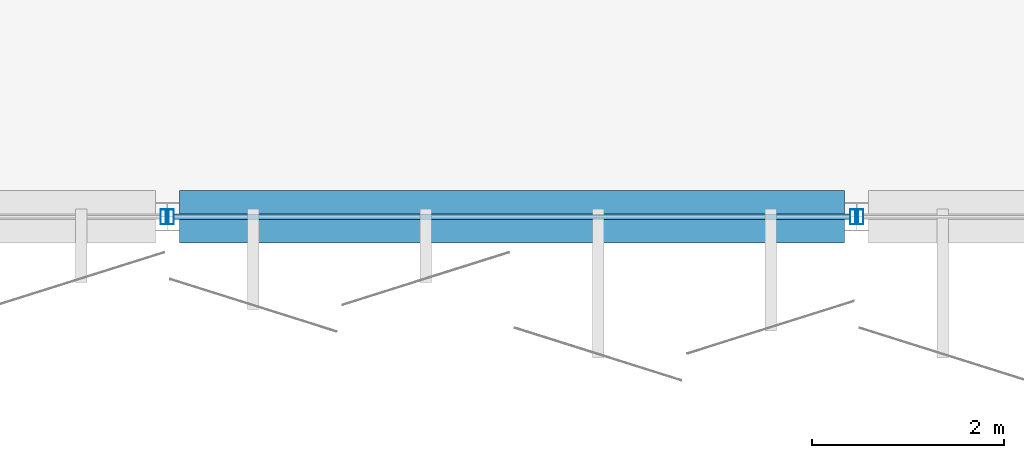
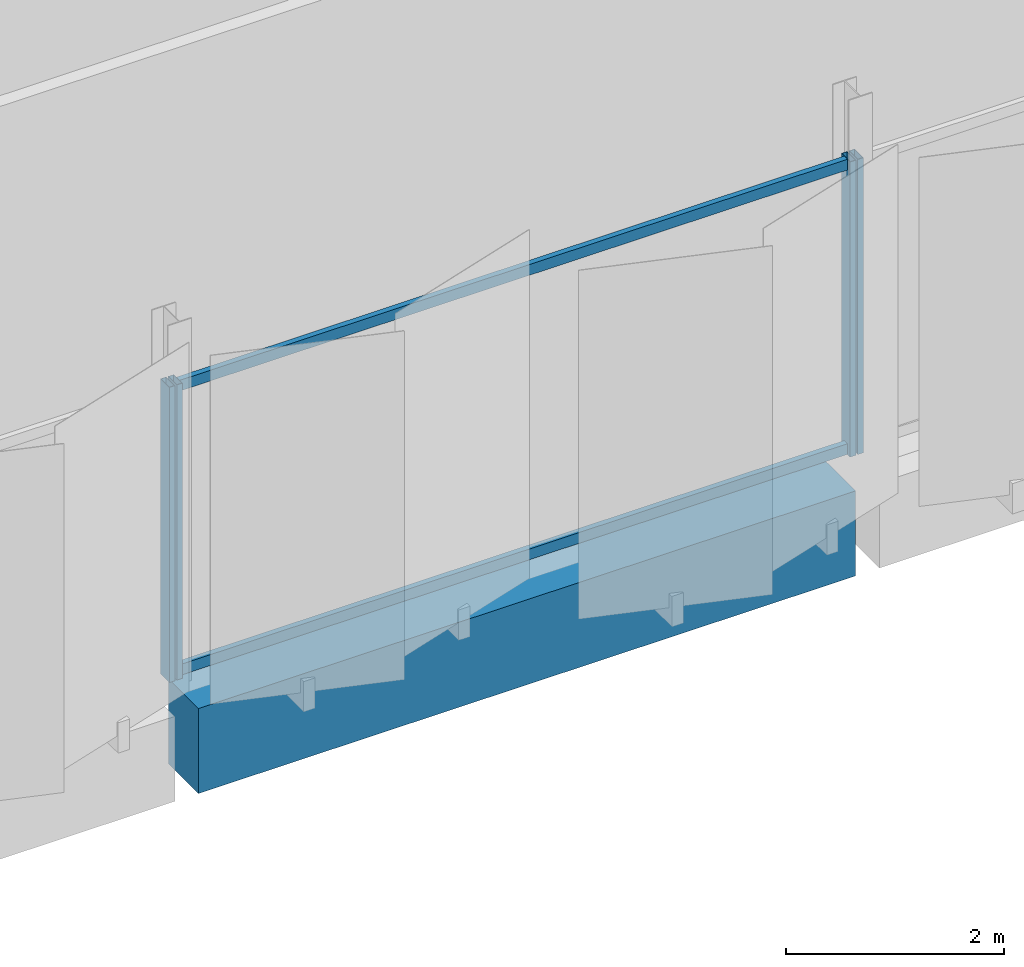
# One storey, part 24 of 77: 6 members, 1 beam, 3 elements without a shape of their own.
"""IFC4 building model written with IfcOpenShell, lengths in metres."""

from ifc_helpers import new_model, si_unit, direction, frame, origin, origin_2d, place, context, subcontext, project, spatial, rectangle, hollow_rectangle, extrude, material, layer, layer_set, material_profile, profile_set, type_object, element, aggregate, save


model = new_model("IFC4")

# Units and contexts
model_context = context("Model", 3, precision=1e-05, world=origin(), true_north=direction((0.0, 1.0)))
body_context = subcontext(model_context, "Body", "Model", "MODEL_VIEW")
ifc_project = project(units=[si_unit("LENGTHUNIT", "METRE"), si_unit("AREAUNIT", "SQUARE_METRE"), si_unit("VOLUMEUNIT", "CUBIC_METRE"), si_unit("PLANEANGLEUNIT", "RADIAN"), si_unit("MASSUNIT", "GRAM", prefix="KILO")], contexts=[model_context])

# Site, building, storey
site_placement = place(None, origin())
site = spatial("IfcSite", under=ifc_project, at=site_placement, CompositionType="ELEMENT")
building_placement = place(site_placement, origin())
building = spatial("IfcBuilding", under=site, at=building_placement, Name="Kangsadwip Square Police Headquarters", CompositionType="ELEMENT")
storey_placement = place(building_placement, frame((0.0, 0.0, 17.550048828125)))
storey = spatial("IfcBuildingStorey", under=building, at=storey_placement, Name="L04", CompositionType="ELEMENT", Elevation=17.550048828125)

# Curtain wall, member
ifc_material_1 = material(Name="Thermally broken anodised aluminium AW-6063-T6", Category="aluminium")
ifc_layer = layer(ifc_material_1, 0.159912109375)
ifc_layer_set = layer_set([ifc_layer], Name="Thermally broken anodised aluminium AW-6063-T6")
curtain_wall_type = type_object("IfcCurtainWallType", Name="CourtScreen7180x3300", PredefinedType="USERDEFINED", material=ifc_layer_set)
curtain_wall_1_placement = place(storey_placement, origin())
curtain_wall_1 = element("IfcCurtainWall", 1, at=curtain_wall_1_placement, inside=storey, type_object=curtain_wall_type, Name="Curtain Wall CW-L04-1008-0936", ObjectType="GLAZED_SCREEN", PredefinedType="USERDEFINED")
ifc_material_2 = material(Name="Thermally broken anodised aluminium AW-6063-T6", Category="aluminium")
ifc_material_profile_1 = material_profile(ifc_material_2, hollow_rectangle(XDim=0.06005859375, YDim=0.159912109375, WallThickness=0.00390625, at=origin_2d()), Name="CWM 160X60X4")
ifc_profile_set_1 = profile_set([ifc_material_profile_1], Name="Thermally broken anodised aluminium AW-6063-T6")
member_type_1 = type_object("IfcMemberType", Name="CwMullion135x60", PredefinedType="MULLION", material=ifc_profile_set_1)
member_1_placement = place(storey_placement, frame((107.9599609375, 93.60009765625, 0.0), z_axis=(0.0, 0.0, 1.0), x_axis=(1.0, 0.0, 0.0)))
member_1 = element("IfcMember", 2, at=member_1_placement, type_object=member_type_1, Name="CW-42 mullion 2", PredefinedType="MULLION", context=body_context, shape_type="SweptSolid", body=[
    extrude(hollow_rectangle(XDim=0.06005859375, YDim=0.159912109375, WallThickness=0.00390625, at=origin_2d()), origin(), (0.0, 0.0, 1.0), 3.300048828125),
])
aggregate(curtain_wall_1, [member_1])

# Curtain wall, members
curtain_wall_2_placement = place(storey_placement, origin())
curtain_wall_2 = element("IfcCurtainWall", 3, at=curtain_wall_2_placement, inside=storey, type_object=curtain_wall_type, Name="Curtain Wall CW-L04-1080-0936", ObjectType="GLAZED_SCREEN", PredefinedType="USERDEFINED")
member_2_placement = place(storey_placement, frame((108.0400390625, 93.60009765625, 0.0), z_axis=(0.0, 0.0, 1.0), x_axis=(1.0, 0.0, 0.0)))
member_2 = element("IfcMember", 4, at=member_2_placement, type_object=member_type_1, Name="CW-42 mullion 1", PredefinedType="MULLION", context=body_context, shape_type="SweptSolid", body=[
    extrude(hollow_rectangle(XDim=0.06005859375, YDim=0.159912109375, WallThickness=0.00390625, at=origin_2d()), origin(), (0.0, 0.0, 1.0), 3.300048828125),
])
member_3_placement = place(storey_placement, frame((115.159912109375, 93.60009765625, 0.0), z_axis=(0.0, 0.0, 1.0), x_axis=(1.0, 0.0, 0.0)))
member_3 = element("IfcMember", 5, at=member_3_placement, type_object=member_type_1, Name="CW-42 mullion 2", PredefinedType="MULLION", context=body_context, shape_type="SweptSolid", body=[
    extrude(hollow_rectangle(XDim=0.06005859375, YDim=0.159912109375, WallThickness=0.00390625, at=origin_2d()), origin(), (0.0, 0.0, 1.0), 3.300048828125),
])

# Curtain wall, member
curtain_wall_3_placement = place(storey_placement, origin())
curtain_wall_3 = element("IfcCurtainWall", 6, at=curtain_wall_3_placement, inside=storey, type_object=curtain_wall_type, Name="Curtain Wall CW-L04-1152-0936", ObjectType="GLAZED_SCREEN", PredefinedType="USERDEFINED")
member_4_placement = place(storey_placement, frame((115.239990234375, 93.60009765625, 0.0), z_axis=(0.0, 0.0, 1.0), x_axis=(1.0, 0.0, 0.0)))
member_4 = element("IfcMember", 7, at=member_4_placement, type_object=member_type_1, Name="CW-42 mullion 1", PredefinedType="MULLION", context=body_context, shape_type="SweptSolid", body=[
    extrude(hollow_rectangle(XDim=0.06005859375, YDim=0.159912109375, WallThickness=0.00390625, at=origin_2d()), origin(), (0.0, 0.0, 1.0), 3.300048828125),
])
aggregate(curtain_wall_3, [member_4])

# Member
ifc_material_3 = material(Name="Thermally broken anodised aluminium AW-6063-T6", Category="aluminium")
ifc_material_profile_2 = material_profile(ifc_material_3, hollow_rectangle(XDim=0.06005859375, YDim=0.1201171875, WallThickness=0.00390625, at=origin_2d()), Name="CWT 120X60X4")
ifc_profile_set_2 = profile_set([ifc_material_profile_2], Name="Thermally broken anodised aluminium AW-6063-T6")
member_type_2 = type_object("IfcMemberType", Name="CwTransom120x55", PredefinedType="USERDEFINED", material=ifc_profile_set_2)
member_5_placement = place(storey_placement, frame((108.070068359375, 93.60009765625, 0.06005859375), z_axis=(1.0, 0.0, 0.0), x_axis=(0.0, 1.0, 0.0)))
member_5 = element("IfcMember", 8, at=member_5_placement, type_object=member_type_2, Name="CW-42 transom 1.1", ObjectType="TRANSOM", PredefinedType="USERDEFINED", context=body_context, shape_type="SweptSolid", body=[
    extrude(hollow_rectangle(XDim=0.06005859375, YDim=0.1201171875, WallThickness=0.00390625, at=origin_2d()), origin(), (0.0, 0.0, 1.0), 7.059814453125),
])

member_6_placement = place(storey_placement, frame((108.070068359375, 93.60009765625, 3.239990234375), z_axis=(1.0, 0.0, 0.0), x_axis=(0.0, 1.0, 0.0)))
member_6 = element("IfcMember", 9, at=member_6_placement, type_object=member_type_2, Name="CW-42 transom 1.2", ObjectType="TRANSOM", PredefinedType="USERDEFINED", context=body_context, shape_type="SweptSolid", body=[
    extrude(hollow_rectangle(XDim=0.06005859375, YDim=0.1201171875, WallThickness=0.00390625, at=origin_2d()), origin(), (0.0, 0.0, 1.0), 7.059814453125),
])

aggregate(curtain_wall_2, [member_2, member_3, member_5, member_6])

# Beam
ifc_material_4 = material(Name="Concrete M40 (40 MPa)", Category="concrete")
ifc_material_profile_3 = material_profile(ifc_material_4, rectangle(XDim=0.550048828125, YDim=0.949951171875, at=origin_2d()), Name="RC TG 950X550")
ifc_profile_set_3 = profile_set([ifc_material_profile_3], Name="Concrete M40 (40 MPa)")
beam_type = type_object("IfcBeamType", Name="RcTransfer950x550", PredefinedType="USERDEFINED", material=ifc_profile_set_3)
beam_placement = place(storey_placement, frame((108.125, 93.60009765625, -0.715087890625), z_axis=(1.0, 0.0, 0.0), x_axis=(0.0, 1.0, 0.0)))
element("IfcBeam", 10, at=beam_placement, inside=storey, type_object=beam_type, Name="Beam BM-L04-X-15-13", ObjectType="TRANSFER_GIRDER", PredefinedType="USERDEFINED", context=body_context, shape_type="SweptSolid", body=[
    extrude(rectangle(XDim=0.550048828125, YDim=0.949951171875, at=origin_2d()), origin(), (0.0, 0.0, 1.0), 6.949951171875),
])

save(model, "model.ifc")
